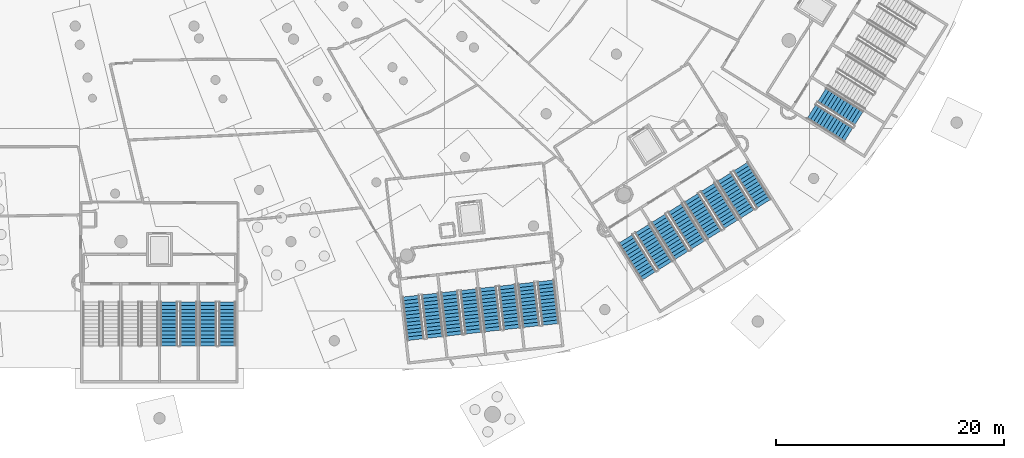
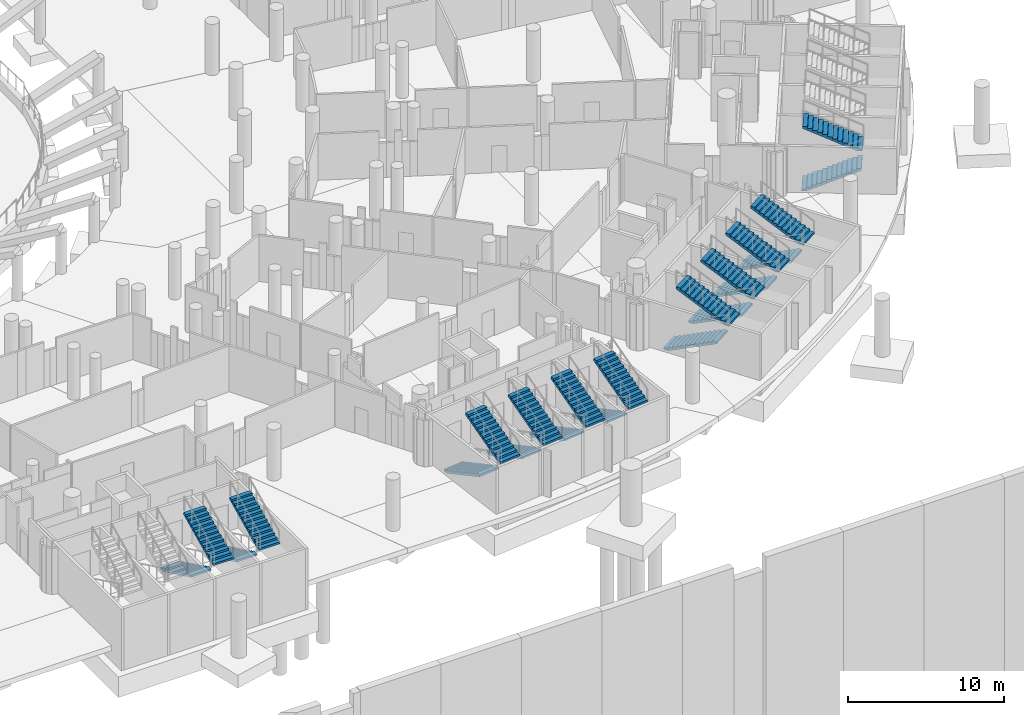
# One storey, part 101 of 142: 22 stair flights, 11 elements without a shape of their own.
"""IFC4 building model written with IfcOpenShell, lengths in metres."""

from ifc_helpers import new_model, si_unit, direction, frame, origin, place, context, subcontext, project, spatial, polyline, outline, extrude, material, type_object, element, aggregate, save


model = new_model("IFC4")

# Units and contexts
model_context = context("Model", 3, precision=1e-05, world=origin(), true_north=direction((0.0, 1.0)))
body_context = subcontext(model_context, "Body", "Model", "MODEL_VIEW")
ifc_project = project(units=[si_unit("LENGTHUNIT", "METRE"), si_unit("AREAUNIT", "SQUARE_METRE"), si_unit("VOLUMEUNIT", "CUBIC_METRE"), si_unit("PLANEANGLEUNIT", "RADIAN"), si_unit("MASSUNIT", "GRAM", prefix="KILO")], contexts=[model_context])

# Site, building, storey
site_placement = place(None, origin())
site = spatial("IfcSite", under=ifc_project, at=site_placement, CompositionType="ELEMENT")
building_placement = place(site_placement, origin())
building = spatial("IfcBuilding", under=site, at=building_placement, Name="Meseta Stadium", CompositionType="ELEMENT")
storey_placement = place(building_placement, frame((0.0, 0.0, -4.0)))
storey = spatial("IfcBuildingStorey", under=building, at=storey_placement, Name="B1", CompositionType="ELEMENT", Elevation=-4.0)

# Stair, stair flights
ifc_material_1 = material(Name="Concrete C40/50", Category="concrete")
stair_type = type_object("IfcStairType", Name="Exit stair 2 flights 154 mm risers", PredefinedType="HALF_TURN_STAIR", material=ifc_material_1)
stair_1_placement = place(storey_placement, origin())
stair_1 = element("IfcStair", 1, at=stair_1_placement, inside=storey, type_object=stair_type, Name="ST99 B1", PredefinedType="HALF_TURN_STAIR")
ifc_material_2 = material(Name="Concrete C40/50", Category="concrete")
stair_flight_type = type_object("IfcStairFlightType", Name="Exit stair flight 154 mm risers, 2 per storey", PredefinedType="STRAIGHT", material=ifc_material_2)
stair_flight_1_placement = place(storey_placement, frame((23.85009765625, -95.199951171875, 0.0), z_axis=(0.0, 0.0, 1.0), x_axis=(0.0, -1.0, 0.0)))
stair_flight_1 = element("IfcStairFlight", 2, at=stair_flight_1_placement, type_object=stair_flight_type, Name="ST99 B1 flight 1", NumberOfRisers=13, NumberOfTreads=12, PredefinedType="STRAIGHT", RiserHeight=0.153846154, TreadLength=0.32, context=body_context, shape_type="SweptSolid", body=[
    extrude(outline(polyline([(0.0, 0.0), (0.0, 0.15380859375), (0.320068359375, 0.15380859375), (0.320068359375, 0.3076171875), (0.639892578125, 0.3076171875), (0.639892578125, 0.46142578125), (0.9599609375, 0.46142578125), (0.9599609375, 0.615478515625), (1.280029296875, 0.615478515625), (1.280029296875, 0.769287109375), (1.60009765625, 0.769287109375), (1.60009765625, 0.923095703125), (1.919921875, 0.923095703125), (1.919921875, 1.076904296875), (2.239990234375, 1.076904296875), (2.239990234375, 1.230712890625), (2.56005859375, 1.230712890625), (2.56005859375, 1.384521484375), (2.8798828125, 1.384521484375), (2.8798828125, 1.53857421875), (3.199951171875, 1.53857421875), (3.199951171875, 1.6923828125), (3.52001953125, 1.6923828125), (3.52001953125, 1.84619140625), (3.840087890625, 1.84619140625), (3.840087890625, 1.679931640625), (0.345947265625, 0.0), (0.0, 0.0)])), frame((0.0, 0.75, 0.0), z_axis=(0.0, -1.0, 0.0), x_axis=(1.0, 0.0, 0.0)), (0.0, 0.0, 1.0), 1.5),
])
stair_flight_2_placement = place(storey_placement, frame((25.550048828125, -99.0400390625, 2.0), z_axis=(0.0, 0.0, 1.0), x_axis=(0.0, 1.0, 0.0)))
stair_flight_2 = element("IfcStairFlight", 3, at=stair_flight_2_placement, type_object=stair_flight_type, Name="ST99 B1 flight 2", NumberOfRisers=13, NumberOfTreads=12, PredefinedType="STRAIGHT", RiserHeight=0.153846154, TreadLength=0.32, context=body_context, shape_type="SweptSolid", body=[
    extrude(outline(polyline([(0.0, 0.0), (0.0, 0.15380859375), (0.320068359375, 0.15380859375), (0.320068359375, 0.3076171875), (0.639892578125, 0.3076171875), (0.639892578125, 0.46142578125), (0.9599609375, 0.46142578125), (0.9599609375, 0.615478515625), (1.280029296875, 0.615478515625), (1.280029296875, 0.769287109375), (1.60009765625, 0.769287109375), (1.60009765625, 0.923095703125), (1.919921875, 0.923095703125), (1.919921875, 1.076904296875), (2.239990234375, 1.076904296875), (2.239990234375, 1.230712890625), (2.56005859375, 1.230712890625), (2.56005859375, 1.384521484375), (2.8798828125, 1.384521484375), (2.8798828125, 1.53857421875), (3.199951171875, 1.53857421875), (3.199951171875, 1.6923828125), (3.52001953125, 1.6923828125), (3.52001953125, 1.84619140625), (3.840087890625, 1.84619140625), (3.840087890625, 1.679931640625), (0.345947265625, 0.0), (0.0, 0.0)])), frame((0.0, 0.75, 0.0), z_axis=(0.0, -1.0, 0.0), x_axis=(1.0, 0.0, 0.0)), (0.0, 0.0, 1.0), 1.5),
])
aggregate(stair_1, [stair_flight_1, stair_flight_2])

stair_2_placement = place(storey_placement, origin())
stair_2 = element("IfcStair", 4, at=stair_2_placement, inside=storey, type_object=stair_type, Name="ST100 B1", PredefinedType="HALF_TURN_STAIR")
stair_flight_3_placement = place(storey_placement, frame((27.25, -95.199951171875, 0.0), z_axis=(0.0, 0.0, 1.0), x_axis=(0.0, -1.0, 0.0)))
stair_flight_3 = element("IfcStairFlight", 5, at=stair_flight_3_placement, type_object=stair_flight_type, Name="ST100 B1 flight 1", NumberOfRisers=13, NumberOfTreads=12, PredefinedType="STRAIGHT", RiserHeight=0.153846154, TreadLength=0.32, context=body_context, shape_type="SweptSolid", body=[
    extrude(outline(polyline([(0.0, 0.0), (0.0, 0.15380859375), (0.320068359375, 0.15380859375), (0.320068359375, 0.3076171875), (0.639892578125, 0.3076171875), (0.639892578125, 0.46142578125), (0.9599609375, 0.46142578125), (0.9599609375, 0.615478515625), (1.280029296875, 0.615478515625), (1.280029296875, 0.769287109375), (1.60009765625, 0.769287109375), (1.60009765625, 0.923095703125), (1.919921875, 0.923095703125), (1.919921875, 1.076904296875), (2.239990234375, 1.076904296875), (2.239990234375, 1.230712890625), (2.56005859375, 1.230712890625), (2.56005859375, 1.384521484375), (2.8798828125, 1.384521484375), (2.8798828125, 1.53857421875), (3.199951171875, 1.53857421875), (3.199951171875, 1.6923828125), (3.52001953125, 1.6923828125), (3.52001953125, 1.84619140625), (3.840087890625, 1.84619140625), (3.840087890625, 1.679931640625), (0.345947265625, 0.0), (0.0, 0.0)])), frame((0.0, 0.75, 0.0), z_axis=(0.0, -1.0, 0.0), x_axis=(1.0, 0.0, 0.0)), (0.0, 0.0, 1.0), 1.5),
])
stair_flight_4_placement = place(storey_placement, frame((28.949951171875, -99.0400390625, 2.0), z_axis=(0.0, 0.0, 1.0), x_axis=(0.0, 1.0, 0.0)))
stair_flight_4 = element("IfcStairFlight", 6, at=stair_flight_4_placement, type_object=stair_flight_type, Name="ST100 B1 flight 2", NumberOfRisers=13, NumberOfTreads=12, PredefinedType="STRAIGHT", RiserHeight=0.153846154, TreadLength=0.32, context=body_context, shape_type="SweptSolid", body=[
    extrude(outline(polyline([(0.0, 0.0), (0.0, 0.15380859375), (0.320068359375, 0.15380859375), (0.320068359375, 0.3076171875), (0.639892578125, 0.3076171875), (0.639892578125, 0.46142578125), (0.9599609375, 0.46142578125), (0.9599609375, 0.615478515625), (1.280029296875, 0.615478515625), (1.280029296875, 0.769287109375), (1.60009765625, 0.769287109375), (1.60009765625, 0.923095703125), (1.919921875, 0.923095703125), (1.919921875, 1.076904296875), (2.239990234375, 1.076904296875), (2.239990234375, 1.230712890625), (2.56005859375, 1.230712890625), (2.56005859375, 1.384521484375), (2.8798828125, 1.384521484375), (2.8798828125, 1.53857421875), (3.199951171875, 1.53857421875), (3.199951171875, 1.6923828125), (3.52001953125, 1.6923828125), (3.52001953125, 1.84619140625), (3.840087890625, 1.84619140625), (3.840087890625, 1.679931640625), (0.345947265625, 0.0), (0.0, 0.0)])), frame((0.0, 0.75, 0.0), z_axis=(0.0, -1.0, 0.0), x_axis=(1.0, 0.0, 0.0)), (0.0, 0.0, 1.0), 1.5),
])
aggregate(stair_2, [stair_flight_3, stair_flight_4])

stair_3_placement = place(storey_placement, origin())
stair_3 = element("IfcStair", 7, at=stair_3_placement, inside=storey, type_object=stair_type, Name="ST101 B1", PredefinedType="HALF_TURN_STAIR")
stair_flight_5_placement = place(storey_placement, frame((45.04736328125, -94.687744140625, 0.0), z_axis=(0.0, 0.0, 1.0), x_axis=(0.11196446867, -0.993712210731, 0.0)))
stair_flight_5 = element("IfcStairFlight", 8, at=stair_flight_5_placement, type_object=stair_flight_type, Name="ST101 B1 flight 1", NumberOfRisers=13, NumberOfTreads=12, PredefinedType="STRAIGHT", RiserHeight=0.153846154, TreadLength=0.32, context=body_context, shape_type="SweptSolid", body=[
    extrude(outline(polyline([(0.0, 0.0), (0.0, 0.15380859375), (0.320068359375, 0.15380859375), (0.320068359375, 0.3076171875), (0.639892578125, 0.3076171875), (0.639892578125, 0.46142578125), (0.9599609375, 0.46142578125), (0.9599609375, 0.615478515625), (1.280029296875, 0.615478515625), (1.280029296875, 0.769287109375), (1.60009765625, 0.769287109375), (1.60009765625, 0.923095703125), (1.919921875, 0.923095703125), (1.919921875, 1.076904296875), (2.239990234375, 1.076904296875), (2.239990234375, 1.230712890625), (2.56005859375, 1.230712890625), (2.56005859375, 1.384521484375), (2.8798828125, 1.384521484375), (2.8798828125, 1.53857421875), (3.199951171875, 1.53857421875), (3.199951171875, 1.6923828125), (3.52001953125, 1.6923828125), (3.52001953125, 1.84619140625), (3.840087890625, 1.84619140625), (3.840087890625, 1.679931640625), (0.345947265625, 0.0), (0.0, 0.0)])), frame((0.0, 0.75, 0.0), z_axis=(0.0, -1.0, 0.0), x_axis=(1.0, 0.0, 0.0)), (0.0, 0.0, 1.0), 1.5),
])
stair_flight_6_placement = place(storey_placement, frame((47.166748046875, -98.313232421875, 2.0), z_axis=(0.0, 0.0, 1.0), x_axis=(-0.11196446867, 0.993712210731, 0.0)))
stair_flight_6 = element("IfcStairFlight", 9, at=stair_flight_6_placement, type_object=stair_flight_type, Name="ST101 B1 flight 2", NumberOfRisers=13, NumberOfTreads=12, PredefinedType="STRAIGHT", RiserHeight=0.153846154, TreadLength=0.32, context=body_context, shape_type="SweptSolid", body=[
    extrude(outline(polyline([(0.0, 0.0), (0.0, 0.15380859375), (0.320068359375, 0.15380859375), (0.320068359375, 0.3076171875), (0.639892578125, 0.3076171875), (0.639892578125, 0.46142578125), (0.9599609375, 0.46142578125), (0.9599609375, 0.615478515625), (1.280029296875, 0.615478515625), (1.280029296875, 0.769287109375), (1.60009765625, 0.769287109375), (1.60009765625, 0.923095703125), (1.919921875, 0.923095703125), (1.919921875, 1.076904296875), (2.239990234375, 1.076904296875), (2.239990234375, 1.230712890625), (2.56005859375, 1.230712890625), (2.56005859375, 1.384521484375), (2.8798828125, 1.384521484375), (2.8798828125, 1.53857421875), (3.199951171875, 1.53857421875), (3.199951171875, 1.6923828125), (3.52001953125, 1.6923828125), (3.52001953125, 1.84619140625), (3.840087890625, 1.84619140625), (3.840087890625, 1.679931640625), (0.345947265625, 0.0), (0.0, 0.0)])), frame((0.0, 0.75, 0.0), z_axis=(0.0, -1.0, 0.0), x_axis=(1.0, 0.0, 0.0)), (0.0, 0.0, 1.0), 1.5),
])
aggregate(stair_3, [stair_flight_5, stair_flight_6])

stair_4_placement = place(storey_placement, origin())
stair_4 = element("IfcStair", 10, at=stair_4_placement, inside=storey, type_object=stair_type, Name="ST102 B1", PredefinedType="HALF_TURN_STAIR")
stair_flight_7_placement = place(storey_placement, frame((48.426025390625, -94.306884765625, 0.0), z_axis=(0.0, 0.0, 1.0), x_axis=(0.11196446867, -0.993712210731, 0.0)))
stair_flight_7 = element("IfcStairFlight", 11, at=stair_flight_7_placement, type_object=stair_flight_type, Name="ST102 B1 flight 1", NumberOfRisers=13, NumberOfTreads=12, PredefinedType="STRAIGHT", RiserHeight=0.153846154, TreadLength=0.32, context=body_context, shape_type="SweptSolid", body=[
    extrude(outline(polyline([(0.0, 0.0), (0.0, 0.15380859375), (0.320068359375, 0.15380859375), (0.320068359375, 0.3076171875), (0.639892578125, 0.3076171875), (0.639892578125, 0.46142578125), (0.9599609375, 0.46142578125), (0.9599609375, 0.615478515625), (1.280029296875, 0.615478515625), (1.280029296875, 0.769287109375), (1.60009765625, 0.769287109375), (1.60009765625, 0.923095703125), (1.919921875, 0.923095703125), (1.919921875, 1.076904296875), (2.239990234375, 1.076904296875), (2.239990234375, 1.230712890625), (2.56005859375, 1.230712890625), (2.56005859375, 1.384521484375), (2.8798828125, 1.384521484375), (2.8798828125, 1.53857421875), (3.199951171875, 1.53857421875), (3.199951171875, 1.6923828125), (3.52001953125, 1.6923828125), (3.52001953125, 1.84619140625), (3.840087890625, 1.84619140625), (3.840087890625, 1.679931640625), (0.345947265625, 0.0), (0.0, 0.0)])), frame((0.0, 0.75, 0.0), z_axis=(0.0, -1.0, 0.0), x_axis=(1.0, 0.0, 0.0)), (0.0, 0.0, 1.0), 1.5),
])
stair_flight_8_placement = place(storey_placement, frame((50.54541015625, -97.932373046875, 2.0), z_axis=(0.0, 0.0, 1.0), x_axis=(-0.11196446867, 0.993712210731, 0.0)))
stair_flight_8 = element("IfcStairFlight", 12, at=stair_flight_8_placement, type_object=stair_flight_type, Name="ST102 B1 flight 2", NumberOfRisers=13, NumberOfTreads=12, PredefinedType="STRAIGHT", RiserHeight=0.153846154, TreadLength=0.32, context=body_context, shape_type="SweptSolid", body=[
    extrude(outline(polyline([(0.0, 0.0), (0.0, 0.15380859375), (0.320068359375, 0.15380859375), (0.320068359375, 0.3076171875), (0.639892578125, 0.3076171875), (0.639892578125, 0.46142578125), (0.9599609375, 0.46142578125), (0.9599609375, 0.615478515625), (1.280029296875, 0.615478515625), (1.280029296875, 0.769287109375), (1.60009765625, 0.769287109375), (1.60009765625, 0.923095703125), (1.919921875, 0.923095703125), (1.919921875, 1.076904296875), (2.239990234375, 1.076904296875), (2.239990234375, 1.230712890625), (2.56005859375, 1.230712890625), (2.56005859375, 1.384521484375), (2.8798828125, 1.384521484375), (2.8798828125, 1.53857421875), (3.199951171875, 1.53857421875), (3.199951171875, 1.6923828125), (3.52001953125, 1.6923828125), (3.52001953125, 1.84619140625), (3.840087890625, 1.84619140625), (3.840087890625, 1.679931640625), (0.345947265625, 0.0), (0.0, 0.0)])), frame((0.0, 0.75, 0.0), z_axis=(0.0, -1.0, 0.0), x_axis=(1.0, 0.0, 0.0)), (0.0, 0.0, 1.0), 1.5),
])
aggregate(stair_4, [stair_flight_7, stair_flight_8])

stair_5_placement = place(storey_placement, origin())
stair_5 = element("IfcStair", 13, at=stair_5_placement, inside=storey, type_object=stair_type, Name="ST103 B1", PredefinedType="HALF_TURN_STAIR")
stair_flight_9_placement = place(storey_placement, frame((51.8046875, -93.92626953125, 0.0), z_axis=(0.0, 0.0, 1.0), x_axis=(0.11196446867, -0.993712210731, 0.0)))
stair_flight_9 = element("IfcStairFlight", 14, at=stair_flight_9_placement, type_object=stair_flight_type, Name="ST103 B1 flight 1", NumberOfRisers=13, NumberOfTreads=12, PredefinedType="STRAIGHT", RiserHeight=0.153846154, TreadLength=0.32, context=body_context, shape_type="SweptSolid", body=[
    extrude(outline(polyline([(0.0, 0.0), (0.0, 0.15380859375), (0.320068359375, 0.15380859375), (0.320068359375, 0.3076171875), (0.639892578125, 0.3076171875), (0.639892578125, 0.46142578125), (0.9599609375, 0.46142578125), (0.9599609375, 0.615478515625), (1.280029296875, 0.615478515625), (1.280029296875, 0.769287109375), (1.60009765625, 0.769287109375), (1.60009765625, 0.923095703125), (1.919921875, 0.923095703125), (1.919921875, 1.076904296875), (2.239990234375, 1.076904296875), (2.239990234375, 1.230712890625), (2.56005859375, 1.230712890625), (2.56005859375, 1.384521484375), (2.8798828125, 1.384521484375), (2.8798828125, 1.53857421875), (3.199951171875, 1.53857421875), (3.199951171875, 1.6923828125), (3.52001953125, 1.6923828125), (3.52001953125, 1.84619140625), (3.840087890625, 1.84619140625), (3.840087890625, 1.679931640625), (0.345947265625, 0.0), (0.0, 0.0)])), frame((0.0, 0.75, 0.0), z_axis=(0.0, -1.0, 0.0), x_axis=(1.0, 0.0, 0.0)), (0.0, 0.0, 1.0), 1.5),
])
stair_flight_10_placement = place(storey_placement, frame((53.923828125, -97.5517578125, 2.0), z_axis=(0.0, 0.0, 1.0), x_axis=(-0.11196446867, 0.993712210731, 0.0)))
stair_flight_10 = element("IfcStairFlight", 15, at=stair_flight_10_placement, type_object=stair_flight_type, Name="ST103 B1 flight 2", NumberOfRisers=13, NumberOfTreads=12, PredefinedType="STRAIGHT", RiserHeight=0.153846154, TreadLength=0.32, context=body_context, shape_type="SweptSolid", body=[
    extrude(outline(polyline([(0.0, 0.0), (0.0, 0.15380859375), (0.320068359375, 0.15380859375), (0.320068359375, 0.3076171875), (0.639892578125, 0.3076171875), (0.639892578125, 0.46142578125), (0.9599609375, 0.46142578125), (0.9599609375, 0.615478515625), (1.280029296875, 0.615478515625), (1.280029296875, 0.769287109375), (1.60009765625, 0.769287109375), (1.60009765625, 0.923095703125), (1.919921875, 0.923095703125), (1.919921875, 1.076904296875), (2.239990234375, 1.076904296875), (2.239990234375, 1.230712890625), (2.56005859375, 1.230712890625), (2.56005859375, 1.384521484375), (2.8798828125, 1.384521484375), (2.8798828125, 1.53857421875), (3.199951171875, 1.53857421875), (3.199951171875, 1.6923828125), (3.52001953125, 1.6923828125), (3.52001953125, 1.84619140625), (3.840087890625, 1.84619140625), (3.840087890625, 1.679931640625), (0.345947265625, 0.0), (0.0, 0.0)])), frame((0.0, 0.75, 0.0), z_axis=(0.0, -1.0, 0.0), x_axis=(1.0, 0.0, 0.0)), (0.0, 0.0, 1.0), 1.5),
])
aggregate(stair_5, [stair_flight_9, stair_flight_10])

stair_6_placement = place(storey_placement, origin())
stair_6 = element("IfcStair", 16, at=stair_6_placement, inside=storey, type_object=stair_type, Name="ST104 B1", PredefinedType="HALF_TURN_STAIR")
stair_flight_11_placement = place(storey_placement, frame((55.183349609375, -93.545654296875, 0.0), z_axis=(0.0, 0.0, 1.0), x_axis=(0.11196446867, -0.993712210731, 0.0)))
stair_flight_11 = element("IfcStairFlight", 17, at=stair_flight_11_placement, type_object=stair_flight_type, Name="ST104 B1 flight 1", NumberOfRisers=13, NumberOfTreads=12, PredefinedType="STRAIGHT", RiserHeight=0.153846154, TreadLength=0.32, context=body_context, shape_type="SweptSolid", body=[
    extrude(outline(polyline([(0.0, 0.0), (0.0, 0.15380859375), (0.320068359375, 0.15380859375), (0.320068359375, 0.3076171875), (0.639892578125, 0.3076171875), (0.639892578125, 0.46142578125), (0.9599609375, 0.46142578125), (0.9599609375, 0.615478515625), (1.280029296875, 0.615478515625), (1.280029296875, 0.769287109375), (1.60009765625, 0.769287109375), (1.60009765625, 0.923095703125), (1.919921875, 0.923095703125), (1.919921875, 1.076904296875), (2.239990234375, 1.076904296875), (2.239990234375, 1.230712890625), (2.56005859375, 1.230712890625), (2.56005859375, 1.384521484375), (2.8798828125, 1.384521484375), (2.8798828125, 1.53857421875), (3.199951171875, 1.53857421875), (3.199951171875, 1.6923828125), (3.52001953125, 1.6923828125), (3.52001953125, 1.84619140625), (3.840087890625, 1.84619140625), (3.840087890625, 1.679931640625), (0.345947265625, 0.0), (0.0, 0.0)])), frame((0.0, 0.75, 0.0), z_axis=(0.0, -1.0, 0.0), x_axis=(1.0, 0.0, 0.0)), (0.0, 0.0, 1.0), 1.5),
])
stair_flight_12_placement = place(storey_placement, frame((57.302490234375, -97.171142578125, 2.0), z_axis=(0.0, 0.0, 1.0), x_axis=(-0.11196446867, 0.993712210731, 0.0)))
stair_flight_12 = element("IfcStairFlight", 18, at=stair_flight_12_placement, type_object=stair_flight_type, Name="ST104 B1 flight 2", NumberOfRisers=13, NumberOfTreads=12, PredefinedType="STRAIGHT", RiserHeight=0.153846154, TreadLength=0.32, context=body_context, shape_type="SweptSolid", body=[
    extrude(outline(polyline([(0.0, 0.0), (0.0, 0.15380859375), (0.320068359375, 0.15380859375), (0.320068359375, 0.3076171875), (0.639892578125, 0.3076171875), (0.639892578125, 0.46142578125), (0.9599609375, 0.46142578125), (0.9599609375, 0.615478515625), (1.280029296875, 0.615478515625), (1.280029296875, 0.769287109375), (1.60009765625, 0.769287109375), (1.60009765625, 0.923095703125), (1.919921875, 0.923095703125), (1.919921875, 1.076904296875), (2.239990234375, 1.076904296875), (2.239990234375, 1.230712890625), (2.56005859375, 1.230712890625), (2.56005859375, 1.384521484375), (2.8798828125, 1.384521484375), (2.8798828125, 1.53857421875), (3.199951171875, 1.53857421875), (3.199951171875, 1.6923828125), (3.52001953125, 1.6923828125), (3.52001953125, 1.84619140625), (3.840087890625, 1.84619140625), (3.840087890625, 1.679931640625), (0.345947265625, 0.0), (0.0, 0.0)])), frame((0.0, 0.75, 0.0), z_axis=(0.0, -1.0, 0.0), x_axis=(1.0, 0.0, 0.0)), (0.0, 0.0, 1.0), 1.5),
])
aggregate(stair_6, [stair_flight_11, stair_flight_12])

stair_7_placement = place(storey_placement, origin())
stair_7 = element("IfcStair", 19, at=stair_7_placement, inside=storey, type_object=stair_type, Name="ST105 B1", PredefinedType="HALF_TURN_STAIR")
stair_flight_13_placement = place(storey_placement, frame((63.892578125, -89.659423828125, 0.0), z_axis=(0.0, 0.0, 1.0), x_axis=(0.532032074404, -0.846724200555, 0.0)))
stair_flight_13 = element("IfcStairFlight", 20, at=stair_flight_13_placement, type_object=stair_flight_type, Name="ST105 B1 flight 1", NumberOfRisers=13, NumberOfTreads=12, PredefinedType="STRAIGHT", RiserHeight=0.153846154, TreadLength=0.32, context=body_context, shape_type="SweptSolid", body=[
    extrude(outline(polyline([(0.0, 0.0), (0.0, 0.15380859375), (0.320068359375, 0.15380859375), (0.320068359375, 0.3076171875), (0.639892578125, 0.3076171875), (0.639892578125, 0.46142578125), (0.9599609375, 0.46142578125), (0.9599609375, 0.615478515625), (1.280029296875, 0.615478515625), (1.280029296875, 0.769287109375), (1.60009765625, 0.769287109375), (1.60009765625, 0.923095703125), (1.919921875, 0.923095703125), (1.919921875, 1.076904296875), (2.239990234375, 1.076904296875), (2.239990234375, 1.230712890625), (2.56005859375, 1.230712890625), (2.56005859375, 1.384521484375), (2.8798828125, 1.384521484375), (2.8798828125, 1.53857421875), (3.199951171875, 1.53857421875), (3.199951171875, 1.6923828125), (3.52001953125, 1.6923828125), (3.52001953125, 1.84619140625), (3.840087890625, 1.84619140625), (3.840087890625, 1.679931640625), (0.345947265625, 0.0), (0.0, 0.0)])), frame((0.0, 0.75, 0.0), z_axis=(0.0, -1.0, 0.0), x_axis=(1.0, 0.0, 0.0)), (0.0, 0.0, 1.0), 1.5),
])
stair_flight_14_placement = place(storey_placement, frame((67.375, -92.00634765625, 2.0), z_axis=(0.0, 0.0, 1.0), x_axis=(-0.532032074404, 0.846724200555, 0.0)))
stair_flight_14 = element("IfcStairFlight", 21, at=stair_flight_14_placement, type_object=stair_flight_type, Name="ST105 B1 flight 2", NumberOfRisers=13, NumberOfTreads=12, PredefinedType="STRAIGHT", RiserHeight=0.153846154, TreadLength=0.32, context=body_context, shape_type="SweptSolid", body=[
    extrude(outline(polyline([(0.0, 0.0), (0.0, 0.15380859375), (0.320068359375, 0.15380859375), (0.320068359375, 0.3076171875), (0.639892578125, 0.3076171875), (0.639892578125, 0.46142578125), (0.9599609375, 0.46142578125), (0.9599609375, 0.615478515625), (1.280029296875, 0.615478515625), (1.280029296875, 0.769287109375), (1.60009765625, 0.769287109375), (1.60009765625, 0.923095703125), (1.919921875, 0.923095703125), (1.919921875, 1.076904296875), (2.239990234375, 1.076904296875), (2.239990234375, 1.230712890625), (2.56005859375, 1.230712890625), (2.56005859375, 1.384521484375), (2.8798828125, 1.384521484375), (2.8798828125, 1.53857421875), (3.199951171875, 1.53857421875), (3.199951171875, 1.6923828125), (3.52001953125, 1.6923828125), (3.52001953125, 1.84619140625), (3.840087890625, 1.84619140625), (3.840087890625, 1.679931640625), (0.345947265625, 0.0), (0.0, 0.0)])), frame((0.0, 0.75, 0.0), z_axis=(0.0, -1.0, 0.0), x_axis=(1.0, 0.0, 0.0)), (0.0, 0.0, 1.0), 1.5),
])
aggregate(stair_7, [stair_flight_13, stair_flight_14])

stair_8_placement = place(storey_placement, origin())
stair_8 = element("IfcStair", 22, at=stair_8_placement, inside=storey, type_object=stair_type, Name="ST106 B1", PredefinedType="HALF_TURN_STAIR")
stair_flight_15_placement = place(storey_placement, frame((66.771484375, -87.8505859375, 0.0), z_axis=(0.0, 0.0, 1.0), x_axis=(0.532032074404, -0.846724200555, 0.0)))
stair_flight_15 = element("IfcStairFlight", 23, at=stair_flight_15_placement, type_object=stair_flight_type, Name="ST106 B1 flight 1", NumberOfRisers=13, NumberOfTreads=12, PredefinedType="STRAIGHT", RiserHeight=0.153846154, TreadLength=0.32, context=body_context, shape_type="SweptSolid", body=[
    extrude(outline(polyline([(0.0, 0.0), (0.0, 0.15380859375), (0.320068359375, 0.15380859375), (0.320068359375, 0.3076171875), (0.639892578125, 0.3076171875), (0.639892578125, 0.46142578125), (0.9599609375, 0.46142578125), (0.9599609375, 0.615478515625), (1.280029296875, 0.615478515625), (1.280029296875, 0.769287109375), (1.60009765625, 0.769287109375), (1.60009765625, 0.923095703125), (1.919921875, 0.923095703125), (1.919921875, 1.076904296875), (2.239990234375, 1.076904296875), (2.239990234375, 1.230712890625), (2.56005859375, 1.230712890625), (2.56005859375, 1.384521484375), (2.8798828125, 1.384521484375), (2.8798828125, 1.53857421875), (3.199951171875, 1.53857421875), (3.199951171875, 1.6923828125), (3.52001953125, 1.6923828125), (3.52001953125, 1.84619140625), (3.840087890625, 1.84619140625), (3.840087890625, 1.679931640625), (0.345947265625, 0.0), (0.0, 0.0)])), frame((0.0, 0.75, 0.0), z_axis=(0.0, -1.0, 0.0), x_axis=(1.0, 0.0, 0.0)), (0.0, 0.0, 1.0), 1.5),
])
stair_flight_16_placement = place(storey_placement, frame((70.25390625, -90.197509765625, 2.0), z_axis=(0.0, 0.0, 1.0), x_axis=(-0.532032074404, 0.846724200555, 0.0)))
stair_flight_16 = element("IfcStairFlight", 24, at=stair_flight_16_placement, type_object=stair_flight_type, Name="ST106 B1 flight 2", NumberOfRisers=13, NumberOfTreads=12, PredefinedType="STRAIGHT", RiserHeight=0.153846154, TreadLength=0.32, context=body_context, shape_type="SweptSolid", body=[
    extrude(outline(polyline([(0.0, 0.0), (0.0, 0.15380859375), (0.320068359375, 0.15380859375), (0.320068359375, 0.3076171875), (0.639892578125, 0.3076171875), (0.639892578125, 0.46142578125), (0.9599609375, 0.46142578125), (0.9599609375, 0.615478515625), (1.280029296875, 0.615478515625), (1.280029296875, 0.769287109375), (1.60009765625, 0.769287109375), (1.60009765625, 0.923095703125), (1.919921875, 0.923095703125), (1.919921875, 1.076904296875), (2.239990234375, 1.076904296875), (2.239990234375, 1.230712890625), (2.56005859375, 1.230712890625), (2.56005859375, 1.384521484375), (2.8798828125, 1.384521484375), (2.8798828125, 1.53857421875), (3.199951171875, 1.53857421875), (3.199951171875, 1.6923828125), (3.52001953125, 1.6923828125), (3.52001953125, 1.84619140625), (3.840087890625, 1.84619140625), (3.840087890625, 1.679931640625), (0.345947265625, 0.0), (0.0, 0.0)])), frame((0.0, 0.75, 0.0), z_axis=(0.0, -1.0, 0.0), x_axis=(1.0, 0.0, 0.0)), (0.0, 0.0, 1.0), 1.5),
])
aggregate(stair_8, [stair_flight_15, stair_flight_16])

stair_9_placement = place(storey_placement, origin())
stair_9 = element("IfcStair", 25, at=stair_9_placement, inside=storey, type_object=stair_type, Name="ST107 B1", PredefinedType="HALF_TURN_STAIR")
stair_flight_17_placement = place(storey_placement, frame((69.650390625, -86.04150390625, 0.0), z_axis=(0.0, 0.0, 1.0), x_axis=(0.532032074404, -0.846724200555, 0.0)))
stair_flight_17 = element("IfcStairFlight", 26, at=stair_flight_17_placement, type_object=stair_flight_type, Name="ST107 B1 flight 1", NumberOfRisers=13, NumberOfTreads=12, PredefinedType="STRAIGHT", RiserHeight=0.153846154, TreadLength=0.32, context=body_context, shape_type="SweptSolid", body=[
    extrude(outline(polyline([(0.0, 0.0), (0.0, 0.15380859375), (0.320068359375, 0.15380859375), (0.320068359375, 0.3076171875), (0.639892578125, 0.3076171875), (0.639892578125, 0.46142578125), (0.9599609375, 0.46142578125), (0.9599609375, 0.615478515625), (1.280029296875, 0.615478515625), (1.280029296875, 0.769287109375), (1.60009765625, 0.769287109375), (1.60009765625, 0.923095703125), (1.919921875, 0.923095703125), (1.919921875, 1.076904296875), (2.239990234375, 1.076904296875), (2.239990234375, 1.230712890625), (2.56005859375, 1.230712890625), (2.56005859375, 1.384521484375), (2.8798828125, 1.384521484375), (2.8798828125, 1.53857421875), (3.199951171875, 1.53857421875), (3.199951171875, 1.6923828125), (3.52001953125, 1.6923828125), (3.52001953125, 1.84619140625), (3.840087890625, 1.84619140625), (3.840087890625, 1.679931640625), (0.345947265625, 0.0), (0.0, 0.0)])), frame((0.0, 0.75, 0.0), z_axis=(0.0, -1.0, 0.0), x_axis=(1.0, 0.0, 0.0)), (0.0, 0.0, 1.0), 1.5),
])
stair_flight_18_placement = place(storey_placement, frame((73.1328125, -88.388671875, 2.0), z_axis=(0.0, 0.0, 1.0), x_axis=(-0.532032074404, 0.846724200555, 0.0)))
stair_flight_18 = element("IfcStairFlight", 27, at=stair_flight_18_placement, type_object=stair_flight_type, Name="ST107 B1 flight 2", NumberOfRisers=13, NumberOfTreads=12, PredefinedType="STRAIGHT", RiserHeight=0.153846154, TreadLength=0.32, context=body_context, shape_type="SweptSolid", body=[
    extrude(outline(polyline([(0.0, 0.0), (0.0, 0.15380859375), (0.320068359375, 0.15380859375), (0.320068359375, 0.3076171875), (0.639892578125, 0.3076171875), (0.639892578125, 0.46142578125), (0.9599609375, 0.46142578125), (0.9599609375, 0.615478515625), (1.280029296875, 0.615478515625), (1.280029296875, 0.769287109375), (1.60009765625, 0.769287109375), (1.60009765625, 0.923095703125), (1.919921875, 0.923095703125), (1.919921875, 1.076904296875), (2.239990234375, 1.076904296875), (2.239990234375, 1.230712890625), (2.56005859375, 1.230712890625), (2.56005859375, 1.384521484375), (2.8798828125, 1.384521484375), (2.8798828125, 1.53857421875), (3.199951171875, 1.53857421875), (3.199951171875, 1.6923828125), (3.52001953125, 1.6923828125), (3.52001953125, 1.84619140625), (3.840087890625, 1.84619140625), (3.840087890625, 1.679931640625), (0.345947265625, 0.0), (0.0, 0.0)])), frame((0.0, 0.75, 0.0), z_axis=(0.0, -1.0, 0.0), x_axis=(1.0, 0.0, 0.0)), (0.0, 0.0, 1.0), 1.5),
])
aggregate(stair_9, [stair_flight_17, stair_flight_18])

stair_10_placement = place(storey_placement, origin())
stair_10 = element("IfcStair", 28, at=stair_10_placement, inside=storey, type_object=stair_type, Name="ST108 B1", PredefinedType="HALF_TURN_STAIR")
stair_flight_19_placement = place(storey_placement, frame((72.529052734375, -84.232666015625, 0.0), z_axis=(0.0, 0.0, 1.0), x_axis=(0.532032074404, -0.846724200555, 0.0)))
stair_flight_19 = element("IfcStairFlight", 29, at=stair_flight_19_placement, type_object=stair_flight_type, Name="ST108 B1 flight 1", NumberOfRisers=13, NumberOfTreads=12, PredefinedType="STRAIGHT", RiserHeight=0.153846154, TreadLength=0.32, context=body_context, shape_type="SweptSolid", body=[
    extrude(outline(polyline([(0.0, 0.0), (0.0, 0.15380859375), (0.320068359375, 0.15380859375), (0.320068359375, 0.3076171875), (0.639892578125, 0.3076171875), (0.639892578125, 0.46142578125), (0.9599609375, 0.46142578125), (0.9599609375, 0.615478515625), (1.280029296875, 0.615478515625), (1.280029296875, 0.769287109375), (1.60009765625, 0.769287109375), (1.60009765625, 0.923095703125), (1.919921875, 0.923095703125), (1.919921875, 1.076904296875), (2.239990234375, 1.076904296875), (2.239990234375, 1.230712890625), (2.56005859375, 1.230712890625), (2.56005859375, 1.384521484375), (2.8798828125, 1.384521484375), (2.8798828125, 1.53857421875), (3.199951171875, 1.53857421875), (3.199951171875, 1.6923828125), (3.52001953125, 1.6923828125), (3.52001953125, 1.84619140625), (3.840087890625, 1.84619140625), (3.840087890625, 1.679931640625), (0.345947265625, 0.0), (0.0, 0.0)])), frame((0.0, 0.75, 0.0), z_axis=(0.0, -1.0, 0.0), x_axis=(1.0, 0.0, 0.0)), (0.0, 0.0, 1.0), 1.5),
])
stair_flight_20_placement = place(storey_placement, frame((76.011474609375, -86.57958984375, 2.0), z_axis=(0.0, 0.0, 1.0), x_axis=(-0.532032074404, 0.846724200555, 0.0)))
stair_flight_20 = element("IfcStairFlight", 30, at=stair_flight_20_placement, type_object=stair_flight_type, Name="ST108 B1 flight 2", NumberOfRisers=13, NumberOfTreads=12, PredefinedType="STRAIGHT", RiserHeight=0.153846154, TreadLength=0.32, context=body_context, shape_type="SweptSolid", body=[
    extrude(outline(polyline([(0.0, 0.0), (0.0, 0.15380859375), (0.320068359375, 0.15380859375), (0.320068359375, 0.3076171875), (0.639892578125, 0.3076171875), (0.639892578125, 0.46142578125), (0.9599609375, 0.46142578125), (0.9599609375, 0.615478515625), (1.280029296875, 0.615478515625), (1.280029296875, 0.769287109375), (1.60009765625, 0.769287109375), (1.60009765625, 0.923095703125), (1.919921875, 0.923095703125), (1.919921875, 1.076904296875), (2.239990234375, 1.076904296875), (2.239990234375, 1.230712890625), (2.56005859375, 1.230712890625), (2.56005859375, 1.384521484375), (2.8798828125, 1.384521484375), (2.8798828125, 1.53857421875), (3.199951171875, 1.53857421875), (3.199951171875, 1.6923828125), (3.52001953125, 1.6923828125), (3.52001953125, 1.84619140625), (3.840087890625, 1.84619140625), (3.840087890625, 1.679931640625), (0.345947265625, 0.0), (0.0, 0.0)])), frame((0.0, 0.75, 0.0), z_axis=(0.0, -1.0, 0.0), x_axis=(1.0, 0.0, 0.0)), (0.0, 0.0, 1.0), 1.5),
])
aggregate(stair_10, [stair_flight_19, stair_flight_20])

stair_11_placement = place(storey_placement, origin())
stair_11 = element("IfcStair", 31, at=stair_11_placement, inside=storey, type_object=stair_type, Name="ST109 B1", PredefinedType="HALF_TURN_STAIR")
stair_flight_21_placement = place(storey_placement, frame((80.175048828125, -78.500732421875, 0.0), z_axis=(0.0, 0.0, 1.0), x_axis=(0.846724200555, -0.532032074404, 0.0)))
stair_flight_21 = element("IfcStairFlight", 32, at=stair_flight_21_placement, type_object=stair_flight_type, Name="ST109 B1 flight 1", NumberOfRisers=13, NumberOfTreads=12, PredefinedType="STRAIGHT", RiserHeight=0.153846154, TreadLength=0.32, context=body_context, shape_type="SweptSolid", body=[
    extrude(outline(polyline([(0.0, 0.0), (0.0, 0.15380859375), (0.320068359375, 0.15380859375), (0.320068359375, 0.3076171875), (0.639892578125, 0.3076171875), (0.639892578125, 0.46142578125), (0.9599609375, 0.46142578125), (0.9599609375, 0.615478515625), (1.280029296875, 0.615478515625), (1.280029296875, 0.769287109375), (1.60009765625, 0.769287109375), (1.60009765625, 0.923095703125), (1.919921875, 0.923095703125), (1.919921875, 1.076904296875), (2.239990234375, 1.076904296875), (2.239990234375, 1.230712890625), (2.56005859375, 1.230712890625), (2.56005859375, 1.384521484375), (2.8798828125, 1.384521484375), (2.8798828125, 1.53857421875), (3.199951171875, 1.53857421875), (3.199951171875, 1.6923828125), (3.52001953125, 1.6923828125), (3.52001953125, 1.84619140625), (3.840087890625, 1.84619140625), (3.840087890625, 1.679931640625), (0.345947265625, 0.0), (0.0, 0.0)])), frame((0.0, 0.75, 0.0), z_axis=(0.0, -1.0, 0.0), x_axis=(1.0, 0.0, 0.0)), (0.0, 0.0, 1.0), 1.5),
])
stair_flight_22_placement = place(storey_placement, frame((84.330810546875, -79.104248046875, 2.0), z_axis=(0.0, 0.0, 1.0), x_axis=(-0.846724200555, 0.532032074404, 0.0)))
stair_flight_22 = element("IfcStairFlight", 33, at=stair_flight_22_placement, type_object=stair_flight_type, Name="ST109 B1 flight 2", NumberOfRisers=13, NumberOfTreads=12, PredefinedType="STRAIGHT", RiserHeight=0.153846154, TreadLength=0.32, context=body_context, shape_type="SweptSolid", body=[
    extrude(outline(polyline([(0.0, 0.0), (0.0, 0.15380859375), (0.320068359375, 0.15380859375), (0.320068359375, 0.3076171875), (0.639892578125, 0.3076171875), (0.639892578125, 0.46142578125), (0.9599609375, 0.46142578125), (0.9599609375, 0.615478515625), (1.280029296875, 0.615478515625), (1.280029296875, 0.769287109375), (1.60009765625, 0.769287109375), (1.60009765625, 0.923095703125), (1.919921875, 0.923095703125), (1.919921875, 1.076904296875), (2.239990234375, 1.076904296875), (2.239990234375, 1.230712890625), (2.56005859375, 1.230712890625), (2.56005859375, 1.384521484375), (2.8798828125, 1.384521484375), (2.8798828125, 1.53857421875), (3.199951171875, 1.53857421875), (3.199951171875, 1.6923828125), (3.52001953125, 1.6923828125), (3.52001953125, 1.84619140625), (3.840087890625, 1.84619140625), (3.840087890625, 1.679931640625), (0.345947265625, 0.0), (0.0, 0.0)])), frame((0.0, 0.75, 0.0), z_axis=(0.0, -1.0, 0.0), x_axis=(1.0, 0.0, 0.0)), (0.0, 0.0, 1.0), 1.5),
])
aggregate(stair_11, [stair_flight_21, stair_flight_22])

save(model, "model.ifc")
